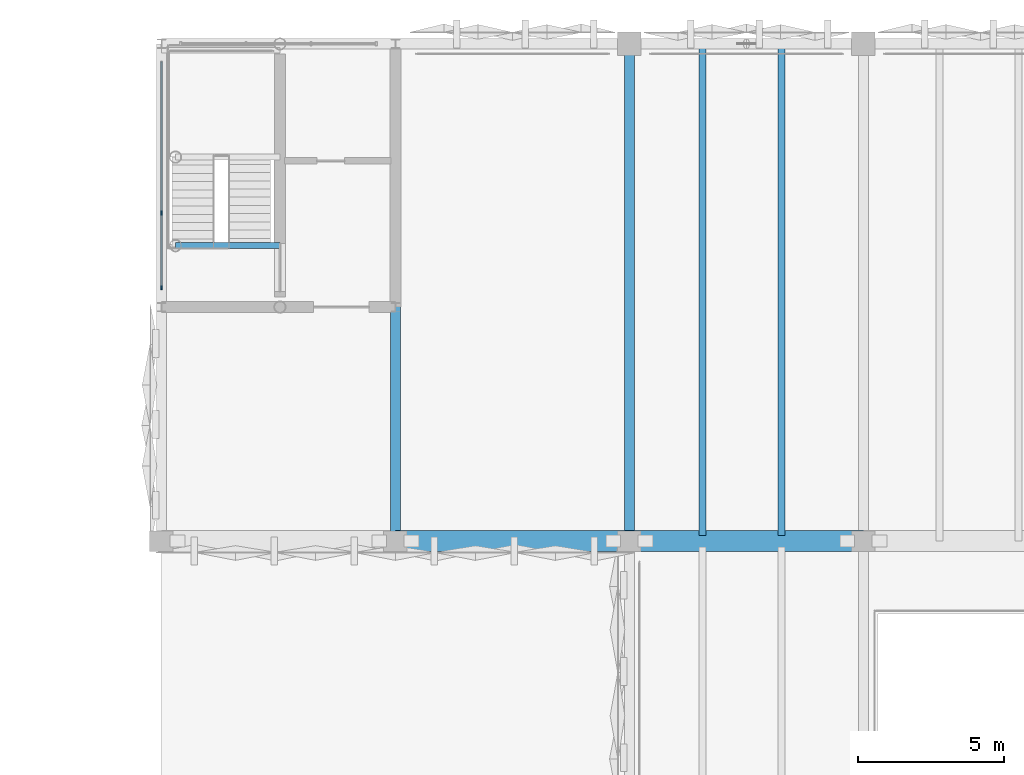
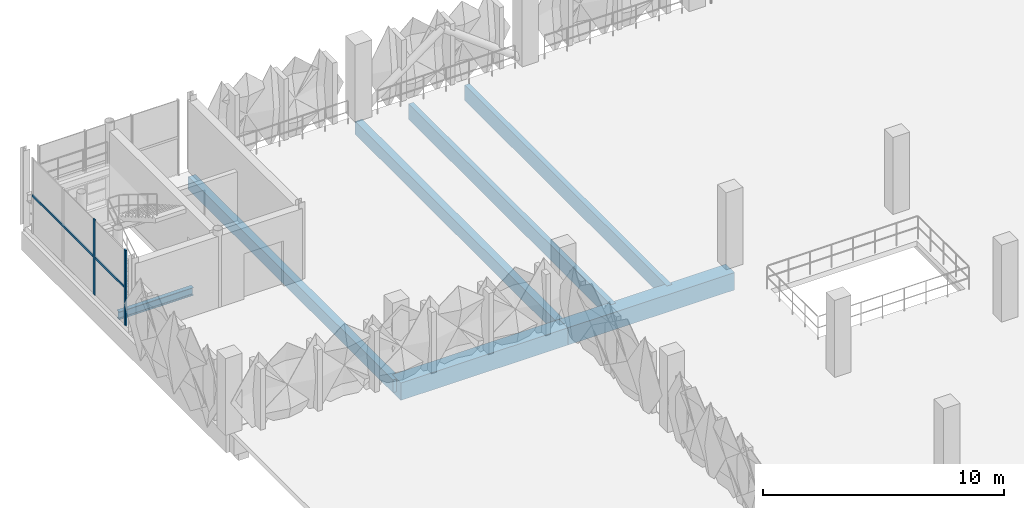
# One storey, part 15 of 96: 7 beams, 3 members, 1 element without a shape of its own.
"""IFC4 building model written with IfcOpenShell, lengths in metres."""

from ifc_helpers import new_model, si_unit, derived_unit, direction, frame, origin, origin_2d, place, context, subcontext, project, spatial, rectangle, i_section, extrude, material, layer, layer_set, material_profile, profile_set, type_object, element, aggregate, save


model = new_model("IFC4")

# Units and contexts
model_context = context("Model", 3, precision=1e-05, world=origin(), true_north=direction((0.0, 1.0)))
body_context = subcontext(model_context, "Body", "Model", "MODEL_VIEW")
ifc_project = project(units=[si_unit("LENGTHUNIT", "METRE"), si_unit("AREAUNIT", "SQUARE_METRE"), si_unit("VOLUMEUNIT", "CUBIC_METRE"), si_unit("PLANEANGLEUNIT", "RADIAN"), si_unit("MASSUNIT", "GRAM", prefix="KILO"), si_unit("THERMODYNAMICTEMPERATUREUNIT", "KELVIN"), derived_unit("THERMALTRANSMITTANCEUNIT", [(si_unit("POWERUNIT", "WATT"), 1), (si_unit("AREAUNIT", "SQUARE_METRE"), -1), (si_unit("THERMODYNAMICTEMPERATUREUNIT", "KELVIN"), -1)])], contexts=[model_context])

# Site, building, storey
site_placement = place(None, origin())
site = spatial("IfcSite", under=ifc_project, at=site_placement, CompositionType="ELEMENT")
building_placement = place(site_placement, origin())
building = spatial("IfcBuilding", under=site, at=building_placement, Name="Haiyu Intermodal Mobility Hub", CompositionType="ELEMENT")
storey_placement = place(building_placement, frame((0.0, 0.0, 9.5)))
storey = spatial("IfcBuildingStorey", under=building, at=storey_placement, Name="L02", CompositionType="ELEMENT", Elevation=9.5)

# Beams
ifc_material_1 = material(Name="Concrete C40", Category="concrete")
ifc_material_profile_1 = material_profile(ifc_material_1, rectangle(XDim=0.35009765625, YDim=0.64990234375, at=origin_2d()), Name="RCB350x650")
ifc_profile_set_1 = profile_set([ifc_material_profile_1], Name="Concrete C40")
beam_type_1 = type_object("IfcBeamType", Name="BM-CB04", PredefinedType="BEAM", material=ifc_profile_set_1)
for number, where, z_axis, x_axis, name in (
    (1, (30.0, 131.0, -0.60009765625), (0.0, 1.0, 0.0), (-1.0, 0.0, 0.0), "BM-V4E-L02-002"),
    (2, (38.0, 131.0, -0.60009765625), (0.0, 1.0, 0.0), (-1.0, 0.0, 0.0), "BM-V4E-L02-005"),
):
    element("IfcBeam", number, at=place(storey_placement, frame(where, z_axis=z_axis, x_axis=x_axis)), inside=storey, type_object=beam_type_1, Name=name, PredefinedType="BEAM", context=body_context, shape_type="SweptSolid", body=[
        extrude(rectangle(XDim=0.35009765625, YDim=0.64990234375, at=origin_2d()), origin(), (0.0, 0.0, 1.0), 17.0),
    ])
ifc_material_2 = material(Name="Precast concrete C50", Category="concrete")
ifc_material_profile_2 = material_profile(ifc_material_2, rectangle(XDim=0.239990234375, YDim=0.780029296875, at=origin_2d()), Name="PC240x780")
ifc_profile_set_2 = profile_set([ifc_material_profile_2], Name="Precast concrete C50")
beam_type_2 = type_object("IfcBeamType", Name="BM-DT01", PredefinedType="JOIST", material=ifc_profile_set_2)
for number, where, z_axis, x_axis, name in (
    (3, (40.5, 131.195068359375, -0.6650390625), (0.0, 1.0, 0.0), (-1.0, 0.0, 0.0), "BM-DT-L02-003"),
    (4, (43.199951171875, 131.195068359375, -0.6650390625), (0.0, 1.0, 0.0), (-1.0, 0.0, 0.0), "BM-DT-L02-006"),
):
    element("IfcBeam", number, at=place(storey_placement, frame(where, z_axis=z_axis, x_axis=x_axis)), inside=storey, type_object=beam_type_2, Name=name, PredefinedType="JOIST", context=body_context, shape_type="SweptSolid", body=[
        extrude(rectangle(XDim=0.239990234375, YDim=0.780029296875, at=origin_2d()), origin(), (0.0, 0.0, 1.0), 16.804931640625),
    ])
ifc_material_profile_3 = material_profile(ifc_material_2, rectangle(XDim=0.719970703125, YDim=0.8798828125, at=origin_2d()), Name="B720x880")
ifc_profile_set_3 = profile_set([ifc_material_profile_3], Name="Precast concrete C50")
beam_type_3 = type_object("IfcBeamType", Name="BM-IT04", PredefinedType="T_BEAM", material=ifc_profile_set_3)
for number, where, z_axis, x_axis, name in (
    (5, (30.0, 131.0, -0.715087890625), (1.0, 0.0, 0.0), (0.0, 1.0, 0.0), "BM-V4G-L02-026"),
    (6, (38.0, 131.0, -0.715087890625), (1.0, 0.0, 0.0), (0.0, 1.0, 0.0), "BM-V4G-L02-027"),
):
    element("IfcBeam", number, at=place(storey_placement, frame(where, z_axis=z_axis, x_axis=x_axis)), inside=storey, type_object=beam_type_3, Name=name, PredefinedType="T_BEAM", context=body_context, shape_type="SweptSolid", body=[
        extrude(rectangle(XDim=0.719970703125, YDim=0.8798828125, at=origin_2d()), origin(), (0.0, 0.0, 1.0), 8.0),
    ])
ifc_material_3 = material(Name="Steel Q355C", Category="steel")
ifc_material_profile_4 = material_profile(ifc_material_3, i_section(OverallWidth=0.199951171875, OverallDepth=0.39990234375, WebThickness=0.008056640625, FlangeThickness=0.012939453125, FilletRadius=0.01611328125, at=origin_2d()), Name="HN400x200x8x13")
ifc_profile_set_4 = profile_set([ifc_material_profile_4], Name="Steel Q355C")
beam_type_4 = type_object("IfcBeamType", Name="BM-SB08", PredefinedType="JOIST", material=ifc_profile_set_4)
beam_placement = place(storey_placement, frame((22.47998046875, 141.10009765625, -0.52490234375), z_axis=(1.0, 0.0, 0.0), x_axis=(0.0, 1.0, 0.0)))
element("IfcBeam", 7, at=beam_placement, inside=storey, type_object=beam_type_4, Name="Stair Arrival Trimmer Beam C3-L01", PredefinedType="JOIST", context=body_context, shape_type="SweptSolid", body=[
    extrude(i_section(OverallWidth=0.199951171875, OverallDepth=0.39990234375, WebThickness=0.008056640625, FlangeThickness=0.012939453125, FilletRadius=0.01611328125, at=origin_2d()), origin(), (0.0, 0.0, 1.0), 3.570068359375),
])

# Curtain wall, members
ifc_material_4 = material(Name="Low-e laminated insulating glass", Category="glass")
ifc_layer = layer(ifc_material_4, 0.199951171875)
ifc_layer_set = layer_set([ifc_layer], Name="Low-e laminated insulating glass")
curtain_wall_type = type_object("IfcCurtainWallType", Name="CW-CW03", PredefinedType="NOTDEFINED", material=ifc_layer_set)
curtain_wall_placement = place(storey_placement, origin())
curtain_wall = element("IfcCurtainWall", 8, at=curtain_wall_placement, inside=storey, type_object=curtain_wall_type, Name="Curtain Wall CW-C3S-L02-054", PredefinedType="NOTDEFINED")
ifc_material_5 = material(Name="Anodised aluminium 6063-T6", Category="aluminium")
ifc_material_profile_5 = material_profile(ifc_material_5, rectangle(XDim=0.06005859375, YDim=0.14501953125, at=origin_2d()), Name="ALU60x145")
ifc_profile_set_5 = profile_set([ifc_material_profile_5], Name="Anodised aluminium 6063-T6")
member_type_1 = type_object("IfcMemberType", Name="CWM-ML03", PredefinedType="MULLION", material=ifc_profile_set_5)
member_1_placement = place(storey_placement, frame((22.0, 142.219970703125, 0.0), z_axis=(0.0, 0.0, 1.0), x_axis=(1.0, 0.0, 0.0)))
member_1 = element("IfcMember", 9, at=member_1_placement, type_object=member_type_1, Name="CW-C3S-L02-054-ML03", PredefinedType="MULLION", context=body_context, shape_type="SweptSolid", body=[
    extrude(rectangle(XDim=0.06005859375, YDim=0.14501953125, at=origin_2d()), origin(), (0.0, 0.0, 1.0), 3.820068359375),
])
member_2_placement = place(storey_placement, frame((22.0, 139.659912109375, 0.0), z_axis=(0.0, 0.0, 1.0), x_axis=(1.0, 0.0, 0.0)))
member_2 = element("IfcMember", 10, at=member_2_placement, type_object=member_type_1, Name="CW-C3S-L02-054-ML04", PredefinedType="MULLION", context=body_context, shape_type="SweptSolid", body=[
    extrude(rectangle(XDim=0.06005859375, YDim=0.14501953125, at=origin_2d()), origin(), (0.0, 0.0, 1.0), 3.820068359375),
])
ifc_material_profile_6 = material_profile(ifc_material_5, rectangle(XDim=0.06005859375, YDim=0.114990234375, at=origin_2d()), Name="ALU60x115")
ifc_profile_set_6 = profile_set([ifc_material_profile_6], Name="Anodised aluminium 6063-T6")
member_type_2 = type_object("IfcMemberType", Name="CWM-TR03", PredefinedType="USERDEFINED", material=ifc_profile_set_6)
member_3_placement = place(storey_placement, frame((22.0, 147.3798828125, 1.909912109375), z_axis=(0.0, -1.0, 0.0), x_axis=(1.0, 0.0, 0.0)))
member_3 = element("IfcMember", 11, at=member_3_placement, type_object=member_type_2, Name="CW-C3S-L02-054-TR01", ObjectType="TRANSOM", PredefinedType="USERDEFINED", context=body_context, shape_type="SweptSolid", body=[
    extrude(rectangle(XDim=0.06005859375, YDim=0.114990234375, at=origin_2d()), origin(), (0.0, 0.0, 1.0), 7.759765625),
])
aggregate(curtain_wall, [member_1, member_2, member_3])

save(model, "model.ifc")
